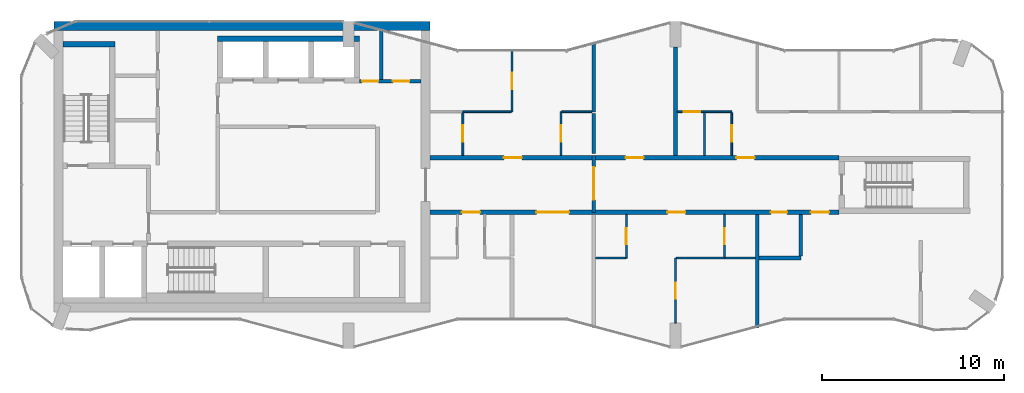
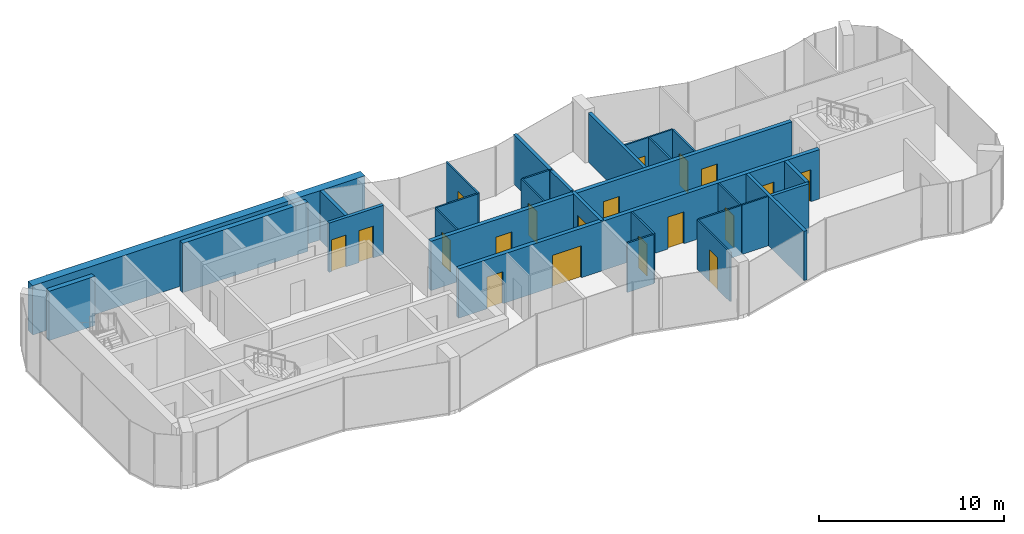
# One storey, part 8 of 10: 28 walls, 19 doors, 19 openings.
"""IFC4 building model written with IfcOpenShell, lengths in metres."""

from ifc_helpers import new_model, si_unit, direction, frame, frame_2d, origin, place, context, subcontext, project, spatial, rectangle, extrude, material, layer, layer_set, type_object, element, fill, save


model = new_model("IFC4")

# Units and contexts
model_context = context("Model", 3, precision=1e-05, world=origin(), true_north=direction((0.0, 1.0)))
body_context = subcontext(model_context, "Body", "Model", "MODEL_VIEW")
ifc_project = project(units=[si_unit("LENGTHUNIT", "METRE"), si_unit("AREAUNIT", "SQUARE_METRE"), si_unit("VOLUMEUNIT", "CUBIC_METRE"), si_unit("PLANEANGLEUNIT", "RADIAN"), si_unit("MASSUNIT", "GRAM", prefix="KILO")], contexts=[model_context])

# Site, building, storey
site_placement = place(None, origin())
site = spatial("IfcSite", under=ifc_project, at=site_placement, CompositionType="ELEMENT")
building_placement = place(site_placement, origin())
building = spatial("IfcBuilding", under=site, at=building_placement, Name="Plateau Cross Towers", CompositionType="ELEMENT")
storey_placement = place(building_placement, frame((0.0, 0.0, 245.89990234375)))
storey = spatial("IfcBuildingStorey", under=building, at=storey_placement, Name="L64", CompositionType="ELEMENT", Elevation=245.89990234375)

# Wall, openings, doors
ifc_material_1 = material(Name="Concrete block, plastered both sides", Category="concrete")
ifc_layer_1 = layer(ifc_material_1, 0.199951171875)
ifc_layer_set_1 = layer_set([ifc_layer_1], Name="Concrete block, plastered both sides")
wall_type_1 = type_object("IfcWallType", Name="Core partition 200", PredefinedType="PARTITIONING", material=ifc_layer_set_1)
wall_1_placement = place(storey_placement, frame((18.60009765625, 14.699951171875, 0.0), z_axis=(0.0, 0.0, 1.0), x_axis=(1.0, 0.0, 0.0)))
wall_1 = element("IfcWall", 1, at=wall_1_placement, inside=storey, type_object=wall_type_1, Name="Core partition", PredefinedType="PARTITIONING", context=body_context, shape_type="SweptSolid", body=[
    extrude(rectangle(XDim=3.39990234375, YDim=0.199951171875, at=frame_2d((1.699951171875, 0.0))), origin(), (0.0, 0.0, 1.0), 3.25),
])
opening_1_placement = place(wall_1_placement, frame((0.14990234375, 0.0, 0.0)))
opening_1 = element("IfcOpeningElement", 2, at=opening_1_placement, cuts=wall_1, Name="Opening RD2", PredefinedType="OPENING", context=body_context, shape_type="SweptSolid", body=[
    extrude(rectangle(XDim=0.89990234375, YDim=2.10009765625, at=frame_2d((0.449951171875, 1.050048828125))), frame((0.0, 0.10986328125, 0.0), z_axis=(0.0, -1.0, 0.0), x_axis=(1.0, 0.0, 0.0)), (0.0, 0.0, 1.0), 0.219970703125),
])
opening_2_placement = place(wall_1_placement, frame((1.85009765625, 0.0, 0.0)))
opening_2 = element("IfcOpeningElement", 3, at=opening_2_placement, cuts=wall_1, Name="Opening RD2", PredefinedType="OPENING", context=body_context, shape_type="SweptSolid", body=[
    extrude(rectangle(XDim=0.89990234375, YDim=2.10009765625, at=frame_2d((0.449951171875, 1.050048828125))), frame((0.0, 0.10986328125, 0.0), z_axis=(0.0, -1.0, 0.0), x_axis=(1.0, 0.0, 0.0)), (0.0, 0.0, 1.0), 0.219970703125),
])
ifc_material_2 = material(Name="Steel, fire-resisting leaf", Category="steel")
door_type_1 = type_object("IfcDoorType", Name="Core riser door 900", OperationType="NOTDEFINED", PredefinedType="DOOR", material=ifc_material_2)
door_1_placement = place(opening_1_placement, origin())
door_1 = element("IfcDoor", 4, at=door_1_placement, inside=storey, type_object=door_type_1, Name="Core riser door RD2", OperationType="SINGLE_SWING_LEFT", OverallHeight=2.10009765625, OverallWidth=0.89990234375, PredefinedType="DOOR", context=body_context, shape_type="SweptSolid", body=[
    extrude(rectangle(XDim=0.89990234375, YDim=2.10009765625, at=frame_2d((0.449951171875, 1.050048828125))), frame((0.0, 0.02490234375, 0.0), z_axis=(0.0, -1.0, 0.0), x_axis=(1.0, 0.0, 0.0)), (0.0, 0.0, 1.0), 0.050048828125),
])
fill(opening_1, door_1)
door_2_placement = place(opening_2_placement, origin())
door_2 = element("IfcDoor", 5, at=door_2_placement, inside=storey, type_object=door_type_1, Name="Core riser door RD2", OperationType="SINGLE_SWING_LEFT", OverallHeight=2.10009765625, OverallWidth=0.89990234375, PredefinedType="DOOR", context=body_context, shape_type="SweptSolid", body=[
    extrude(rectangle(XDim=0.89990234375, YDim=2.10009765625, at=frame_2d((0.449951171875, 1.050048828125))), frame((0.0, 0.02490234375, 0.0), z_axis=(0.0, -1.0, 0.0), x_axis=(1.0, 0.0, 0.0)), (0.0, 0.0, 1.0), 0.050048828125),
])
fill(opening_2, door_2)

# Walls
wall_2_placement = place(storey_placement, frame((19.800048828125, 14.800048828125, 0.0), z_axis=(0.0, 0.0, 1.0), x_axis=(0.0, 1.0, 0.0)))
element("IfcWall", 6, at=wall_2_placement, inside=storey, type_object=wall_type_1, Name="Core partition", PredefinedType="PARTITIONING", context=body_context, shape_type="SweptSolid", body=[
    extrude(rectangle(XDim=2.699951171875, YDim=0.199951171875, at=frame_2d((1.35009765625, 0.0))), origin(), (0.0, 0.0, 1.0), 3.25),
])
ifc_material_3 = material(Name="Concrete C60/75", Category="concrete")
ifc_layer_2 = layer(ifc_material_3, 0.300048828125)
ifc_layer_set_2 = layer_set([ifc_layer_2], Name="Concrete C60/75")
wall_type_2 = type_object("IfcWallType", Name="Core shaft wall 300", PredefinedType="SHEAR", material=ifc_layer_set_2)
wall_3_placement = place(storey_placement, frame((2.300048828125, 16.75, 0.0), z_axis=(0.0, 0.0, 1.0), x_axis=(1.0, 0.0, 0.0)))
element("IfcWall", 7, at=wall_3_placement, inside=storey, type_object=wall_type_2, Name="A-st1-N@L64", PredefinedType="SHEAR", context=body_context, shape_type="SweptSolid", body=[
    extrude(rectangle(XDim=2.849853515625, YDim=0.300048828125, at=frame_2d((1.4248046875, 0.0))), origin(), (0.0, 0.0, 1.0), 3.25),
])
wall_4_placement = place(storey_placement, frame((10.800048828125, 17.050048828125, 0.0), z_axis=(0.0, 0.0, 1.0), x_axis=(1.0, 0.0, 0.0)))
element("IfcWall", 8, at=wall_4_placement, inside=storey, type_object=wall_type_2, Name="A-nb-back@L64", PredefinedType="SHEAR", context=body_context, shape_type="SweptSolid", body=[
    extrude(rectangle(XDim=7.800048828125, YDim=0.300048828125, at=frame_2d((3.89990234375, 0.0))), origin(), (0.0, 0.0, 1.0), 3.25),
])
ifc_layer_3 = layer(ifc_material_3, 0.5)
ifc_layer_set_3 = layer_set([ifc_layer_3], Name="Concrete C60/75")
wall_type_3 = type_object("IfcWallType", Name="Core shell wall 500", PredefinedType="SHEAR", material=ifc_layer_set_3)
wall_5_placement = place(storey_placement, frame((1.800048828125, 17.75, 0.0), z_axis=(0.0, 0.0, 1.0), x_axis=(1.0, 0.0, 0.0)))
element("IfcWall", 9, at=wall_5_placement, inside=storey, type_object=wall_type_3, Name="A-core-N@L64", PredefinedType="SHEAR", context=body_context, shape_type="SweptSolid", body=[
    extrude(rectangle(XDim=20.699951171875, YDim=0.5, at=frame_2d((10.35009765625, 0.0))), origin(), (0.0, 0.0, 1.0), 3.25),
])

# Wall, openings, doors
ifc_layer_4 = layer(ifc_material_3, 0.25)
ifc_layer_set_4 = layer_set([ifc_layer_4], Name="Concrete C60/75")
wall_type_4 = type_object("IfcWallType", Name="Corridor wall 250", PredefinedType="SHEAR", material=ifc_layer_set_4)
wall_6_placement = place(storey_placement, frame((22.5, 7.5, 0.0), z_axis=(0.0, 0.0, 1.0), x_axis=(1.0, 0.0, 0.0)))
wall_6 = element("IfcWall", 10, at=wall_6_placement, inside=storey, type_object=wall_type_4, Name="A-cw-S1@L64", PredefinedType="SHEAR", context=body_context, shape_type="SweptSolid", body=[
    extrude(rectangle(XDim=22.5, YDim=0.25, at=frame_2d((11.25, 0.0))), origin(), (0.0, 0.0, 1.0), 3.25),
])
opening_3_placement = place(wall_6_placement, frame((1.75, 0.0, 0.0)))
opening_3 = element("IfcOpeningElement", 11, at=opening_3_placement, cuts=wall_6, Name="Opening 64-01", PredefinedType="OPENING", context=body_context, shape_type="SweptSolid", body=[
    extrude(rectangle(XDim=1.0, YDim=2.10009765625, at=frame_2d((0.5, 1.050048828125))), frame((0.0, 0.135009765625, 0.0), z_axis=(0.0, -1.0, 0.0), x_axis=(1.0, 0.0, 0.0)), (0.0, 0.0, 1.0), 0.27001953125),
])
opening_4_placement = place(wall_6_placement, frame((5.85009765625, 0.0, 0.0)))
opening_4 = element("IfcOpeningElement", 12, at=opening_4_placement, cuts=wall_6, Name="Opening 64-02", PredefinedType="OPENING", context=body_context, shape_type="SweptSolid", body=[
    extrude(rectangle(XDim=1.800048828125, YDim=2.10009765625, at=frame_2d((0.89990234375, 1.050048828125))), frame((0.0, 0.135009765625, 0.0), z_axis=(0.0, -1.0, 0.0), x_axis=(1.0, 0.0, 0.0)), (0.0, 0.0, 1.0), 0.27001953125),
])
opening_5_placement = place(wall_6_placement, frame((13.050048828125, 0.0, 0.0)))
opening_5 = element("IfcOpeningElement", 13, at=opening_5_placement, cuts=wall_6, Name="Opening 64-03", PredefinedType="OPENING", context=body_context, shape_type="SweptSolid", body=[
    extrude(rectangle(XDim=1.0, YDim=2.10009765625, at=frame_2d((0.5, 1.050048828125))), frame((0.0, 0.135009765625, 0.0), z_axis=(0.0, -1.0, 0.0), x_axis=(1.0, 0.0, 0.0)), (0.0, 0.0, 1.0), 0.27001953125),
])
opening_6_placement = place(wall_6_placement, frame((18.75, 0.0, 0.0)))
opening_6 = element("IfcOpeningElement", 14, at=opening_6_placement, cuts=wall_6, Name="Opening 64-04", PredefinedType="OPENING", context=body_context, shape_type="SweptSolid", body=[
    extrude(rectangle(XDim=0.89990234375, YDim=2.10009765625, at=frame_2d((0.449951171875, 1.050048828125))), frame((0.0, 0.135009765625, 0.0), z_axis=(0.0, -1.0, 0.0), x_axis=(1.0, 0.0, 0.0)), (0.0, 0.0, 1.0), 0.27001953125),
])
opening_7_placement = place(wall_6_placement, frame((20.949951171875, 0.0, 0.0)))
opening_7 = element("IfcOpeningElement", 15, at=opening_7_placement, cuts=wall_6, Name="Opening 64-05", PredefinedType="OPENING", context=body_context, shape_type="SweptSolid", body=[
    extrude(rectangle(XDim=1.0, YDim=2.10009765625, at=frame_2d((0.5, 1.050048828125))), frame((0.0, 0.135009765625, 0.0), z_axis=(0.0, -1.0, 0.0), x_axis=(1.0, 0.0, 0.0)), (0.0, 0.0, 1.0), 0.27001953125),
])
ifc_material_4 = material(Name="Timber, fire-resisting leaf", Category="wood")
door_type_2 = type_object("IfcDoorType", Name="Flat entrance door 1000", OperationType="NOTDEFINED", PredefinedType="DOOR", material=ifc_material_4)
door_3_placement = place(opening_3_placement, origin())
door_3 = element("IfcDoor", 16, at=door_3_placement, inside=storey, type_object=door_type_2, Name="Door 64-01", OperationType="SINGLE_SWING_LEFT", OverallHeight=2.10009765625, OverallWidth=1.0, PredefinedType="DOOR", context=body_context, shape_type="SweptSolid", body=[
    extrude(rectangle(XDim=1.0, YDim=2.10009765625, at=frame_2d((0.5, 1.050048828125))), frame((0.0, 0.02490234375, 0.0), z_axis=(0.0, -1.0, 0.0), x_axis=(1.0, 0.0, 0.0)), (0.0, 0.0, 1.0), 0.050048828125),
])
fill(opening_3, door_3)
door_4_placement = place(opening_5_placement, origin())
door_4 = element("IfcDoor", 17, at=door_4_placement, inside=storey, type_object=door_type_2, Name="Door 64-03", OperationType="SINGLE_SWING_RIGHT", OverallHeight=2.10009765625, OverallWidth=1.0, PredefinedType="DOOR", context=body_context, shape_type="SweptSolid", body=[
    extrude(rectangle(XDim=1.0, YDim=2.10009765625, at=frame_2d((0.5, 1.050048828125))), frame((0.0, 0.02490234375, 0.0), z_axis=(0.0, -1.0, 0.0), x_axis=(1.0, 0.0, 0.0)), (0.0, 0.0, 1.0), 0.050048828125),
])
fill(opening_5, door_4)
door_5_placement = place(opening_7_placement, origin())
door_5 = element("IfcDoor", 18, at=door_5_placement, inside=storey, type_object=door_type_2, Name="Door 64-05", OperationType="SINGLE_SWING_RIGHT", OverallHeight=2.10009765625, OverallWidth=1.0, PredefinedType="DOOR", context=body_context, shape_type="SweptSolid", body=[
    extrude(rectangle(XDim=1.0, YDim=2.10009765625, at=frame_2d((0.5, 1.050048828125))), frame((0.0, 0.02490234375, 0.0), z_axis=(0.0, -1.0, 0.0), x_axis=(1.0, 0.0, 0.0)), (0.0, 0.0, 1.0), 0.050048828125),
])
fill(opening_7, door_5)
ifc_material_5 = material(Name="Timber, fire-resisting leaves", Category="wood")
door_type_3 = type_object("IfcDoorType", Name="Flat floor fire door pair 1800", OperationType="NOTDEFINED", PredefinedType="DOOR", material=ifc_material_5)
door_6_placement = place(opening_4_placement, origin())
door_6 = element("IfcDoor", 19, at=door_6_placement, inside=storey, type_object=door_type_3, Name="Door 64-02", OperationType="SINGLE_SWING_LEFT", OverallHeight=2.10009765625, OverallWidth=1.800048828125, PredefinedType="DOOR", context=body_context, shape_type="SweptSolid", body=[
    extrude(rectangle(XDim=1.800048828125, YDim=2.10009765625, at=frame_2d((0.89990234375, 1.050048828125))), frame((0.0, 0.02490234375, 0.0), z_axis=(0.0, -1.0, 0.0), x_axis=(1.0, 0.0, 0.0)), (0.0, 0.0, 1.0), 0.050048828125),
])
fill(opening_4, door_6)
door_type_4 = type_object("IfcDoorType", Name="Flat floor service door 900", OperationType="NOTDEFINED", PredefinedType="DOOR", material=ifc_material_4)
door_7_placement = place(opening_6_placement, origin())
door_7 = element("IfcDoor", 20, at=door_7_placement, inside=storey, type_object=door_type_4, Name="Door 64-04", OperationType="SINGLE_SWING_RIGHT", OverallHeight=2.10009765625, OverallWidth=0.89990234375, PredefinedType="DOOR", context=body_context, shape_type="SweptSolid", body=[
    extrude(rectangle(XDim=0.89990234375, YDim=2.10009765625, at=frame_2d((0.449951171875, 1.050048828125))), frame((0.0, 0.02490234375, 0.0), z_axis=(0.0, -1.0, 0.0), x_axis=(1.0, 0.0, 0.0)), (0.0, 0.0, 1.0), 0.050048828125),
])
fill(opening_6, door_7)

wall_7_placement = place(storey_placement, frame((22.5, 10.5, 0.0), z_axis=(0.0, 0.0, 1.0), x_axis=(1.0, 0.0, 0.0)))
wall_7 = element("IfcWall", 21, at=wall_7_placement, inside=storey, type_object=wall_type_4, Name="A-cw-S2@L64", PredefinedType="SHEAR", context=body_context, shape_type="SweptSolid", body=[
    extrude(rectangle(XDim=22.5, YDim=0.25, at=frame_2d((11.25, 0.0))), origin(), (0.0, 0.0, 1.0), 3.25),
])
opening_8_placement = place(wall_7_placement, frame((4.050048828125, 0.0, 0.0)))
opening_8 = element("IfcOpeningElement", 22, at=opening_8_placement, cuts=wall_7, Name="Opening 64-06", PredefinedType="OPENING", context=body_context, shape_type="SweptSolid", body=[
    extrude(rectangle(XDim=1.0, YDim=2.10009765625, at=frame_2d((0.5, 1.050048828125))), frame((0.0, 0.135009765625, 0.0), z_axis=(0.0, -1.0, 0.0), x_axis=(1.0, 0.0, 0.0)), (0.0, 0.0, 1.0), 0.27001953125),
])
opening_9_placement = place(wall_7_placement, frame((10.75, 0.0, 0.0)))
opening_9 = element("IfcOpeningElement", 23, at=opening_9_placement, cuts=wall_7, Name="Opening 64-07", PredefinedType="OPENING", context=body_context, shape_type="SweptSolid", body=[
    extrude(rectangle(XDim=1.0, YDim=2.10009765625, at=frame_2d((0.5, 1.050048828125))), frame((0.0, 0.135009765625, 0.0), z_axis=(0.0, -1.0, 0.0), x_axis=(1.0, 0.0, 0.0)), (0.0, 0.0, 1.0), 0.27001953125),
])
opening_10_placement = place(wall_7_placement, frame((16.85009765625, 0.0, 0.0)))
opening_10 = element("IfcOpeningElement", 24, at=opening_10_placement, cuts=wall_7, Name="Opening 64-08", PredefinedType="OPENING", context=body_context, shape_type="SweptSolid", body=[
    extrude(rectangle(XDim=1.0, YDim=2.10009765625, at=frame_2d((0.5, 1.050048828125))), frame((0.0, 0.135009765625, 0.0), z_axis=(0.0, -1.0, 0.0), x_axis=(1.0, 0.0, 0.0)), (0.0, 0.0, 1.0), 0.27001953125),
])
door_8_placement = place(opening_8_placement, origin())
door_8 = element("IfcDoor", 25, at=door_8_placement, inside=storey, type_object=door_type_2, Name="Door 64-06", OperationType="SINGLE_SWING_LEFT", OverallHeight=2.10009765625, OverallWidth=1.0, PredefinedType="DOOR", context=body_context, shape_type="SweptSolid", body=[
    extrude(rectangle(XDim=1.0, YDim=2.10009765625, at=frame_2d((0.5, 1.050048828125))), frame((0.0, 0.02490234375, 0.0), z_axis=(0.0, -1.0, 0.0), x_axis=(1.0, 0.0, 0.0)), (0.0, 0.0, 1.0), 0.050048828125),
])
fill(opening_8, door_8)
door_9_placement = place(opening_9_placement, origin())
door_9 = element("IfcDoor", 26, at=door_9_placement, inside=storey, type_object=door_type_2, Name="Door 64-07", OperationType="SINGLE_SWING_LEFT", OverallHeight=2.10009765625, OverallWidth=1.0, PredefinedType="DOOR", context=body_context, shape_type="SweptSolid", body=[
    extrude(rectangle(XDim=1.0, YDim=2.10009765625, at=frame_2d((0.5, 1.050048828125))), frame((0.0, 0.02490234375, 0.0), z_axis=(0.0, -1.0, 0.0), x_axis=(1.0, 0.0, 0.0)), (0.0, 0.0, 1.0), 0.050048828125),
])
fill(opening_9, door_9)
door_10_placement = place(opening_10_placement, origin())
door_10 = element("IfcDoor", 27, at=door_10_placement, inside=storey, type_object=door_type_2, Name="Door 64-08", OperationType="SINGLE_SWING_RIGHT", OverallHeight=2.10009765625, OverallWidth=1.0, PredefinedType="DOOR", context=body_context, shape_type="SweptSolid", body=[
    extrude(rectangle(XDim=1.0, YDim=2.10009765625, at=frame_2d((0.5, 1.050048828125))), frame((0.0, 0.02490234375, 0.0), z_axis=(0.0, -1.0, 0.0), x_axis=(1.0, 0.0, 0.0)), (0.0, 0.0, 1.0), 0.050048828125),
])
fill(opening_10, door_10)

# Walls
ifc_material_6 = material(Name="Gypsum board on steel studs", Category="steel")
ifc_layer_5 = layer(ifc_material_6, 0.10009765625)
ifc_layer_set_5 = layer_set([ifc_layer_5], Name="Gypsum board on steel studs")
wall_type_5 = type_object("IfcWallType", Name="Flat partition 100", PredefinedType="PARTITIONING", material=ifc_layer_set_5)
wall_8_placement = place(storey_placement, frame((38.699951171875, 4.97509765625, 0.0), z_axis=(0.0, 0.0, 1.0), x_axis=(-1.0, 0.0, 0.0)))
element("IfcWall", 28, at=wall_8_placement, inside=storey, type_object=wall_type_5, Name="Partition wall", PredefinedType="PARTITIONING", context=body_context, shape_type="SweptSolid", body=[
    extrude(rectangle(XDim=2.64990234375, YDim=0.10009765625, at=frame_2d((1.324951171875, 0.0))), origin(), (0.0, 0.0, 1.0), 3.25),
])
for number, where, z_axis, x_axis, name in (
    (29, (31.60009765625, 4.97509765625, 0.0), (0.0, 0.0, 1.0), (1.0, 0.0, 0.0), "Partition wall"),
    (30, (38.75, 4.97509765625, 0.0), (0.0, 0.0, 1.0), (1.0, 0.0, 0.0), "Partition wall"),
    (31, (31.39990234375, 13.02490234375, 0.0), (0.0, 0.0, 1.0), (-1.0, 0.0, 0.0), "Partition wall"),
):
    element("IfcWall", number, at=place(storey_placement, frame(where, z_axis=z_axis, x_axis=x_axis)), inside=storey, type_object=wall_type_5, Name=name, PredefinedType="PARTITIONING", context=body_context, shape_type="SweptSolid", body=[
        extrude(rectangle(XDim=1.64990234375, YDim=0.10009765625, at=frame_2d((0.824951171875, 0.0))), origin(), (0.0, 0.0, 1.0), 3.25),
    ])

# Wall, opening, door
wall_9_placement = place(storey_placement, frame((39.10009765625, 13.02490234375, 0.0), z_axis=(0.0, 0.0, 1.0), x_axis=(-1.0, 0.0, 0.0)))
wall_9 = element("IfcWall", 32, at=wall_9_placement, inside=storey, type_object=wall_type_5, Name="Partition wall", PredefinedType="PARTITIONING", context=body_context, shape_type="SweptSolid", body=[
    extrude(rectangle(XDim=3.0, YDim=0.10009765625, at=frame_2d((1.5, 0.0))), origin(), (0.0, 0.0, 1.0), 3.25),
])
opening_11_placement = place(wall_9_placement, frame((1.75, 0.0, 0.0)))
opening_11 = element("IfcOpeningElement", 33, at=opening_11_placement, cuts=wall_9, Name="Opening 64-19", PredefinedType="OPENING", context=body_context, shape_type="SweptSolid", body=[
    extrude(rectangle(XDim=0.89990234375, YDim=2.10009765625, at=frame_2d((0.449951171875, 1.050048828125))), frame((0.0, 0.06005859375, 0.0), z_axis=(0.0, -1.0, 0.0), x_axis=(1.0, 0.0, 0.0)), (0.0, 0.0, 1.0), 0.1201171875),
])
ifc_material_7 = material(Name="Timber leaf", Category="wood")
door_type_5 = type_object("IfcDoorType", Name="Flat room door 900", OperationType="NOTDEFINED", PredefinedType="DOOR", material=ifc_material_7)
door_11_placement = place(opening_11_placement, origin())
door_11 = element("IfcDoor", 34, at=door_11_placement, inside=storey, type_object=door_type_5, Name="Door 64-19", OperationType="SINGLE_SWING_RIGHT", OverallHeight=2.10009765625, OverallWidth=0.89990234375, PredefinedType="DOOR", context=body_context, shape_type="SweptSolid", body=[
    extrude(rectangle(XDim=0.89990234375, YDim=2.10009765625, at=frame_2d((0.449951171875, 1.050048828125))), frame((0.0, 0.02490234375, 0.0), z_axis=(0.0, -1.0, 0.0), x_axis=(1.0, 0.0, 0.0)), (0.0, 0.0, 1.0), 0.050048828125),
])
fill(opening_11, door_11)

# Wall
wall_10_placement = place(storey_placement, frame((24.300048828125, 13.02490234375, 0.0), z_axis=(0.0, 0.0, 1.0), x_axis=(1.0, 0.0, 0.0)))
element("IfcWall", 35, at=wall_10_placement, inside=storey, type_object=wall_type_5, Name="Partition wall", PredefinedType="PARTITIONING", context=body_context, shape_type="SweptSolid", body=[
    extrude(rectangle(XDim=2.64990234375, YDim=0.10009765625, at=frame_2d((1.324951171875, 0.0))), origin(), (0.0, 0.0, 1.0), 3.25),
])

# Wall, opening, door
wall_11_placement = place(storey_placement, frame((24.300048828125, 10.625, 0.0), z_axis=(0.0, 0.0, 1.0), x_axis=(0.0, 1.0, 0.0)))
wall_11 = element("IfcWall", 36, at=wall_11_placement, inside=storey, type_object=wall_type_5, Name="Partition wall", PredefinedType="PARTITIONING", context=body_context, shape_type="SweptSolid", body=[
    extrude(rectangle(XDim=2.35009765625, YDim=0.10009765625, at=frame_2d((1.175048828125, 0.0))), origin(), (0.0, 0.0, 1.0), 3.25),
])
opening_12_placement = place(wall_11_placement, frame((0.75, 0.0, 0.0)))
opening_12 = element("IfcOpeningElement", 37, at=opening_12_placement, cuts=wall_11, Name="Opening 64-16", PredefinedType="OPENING", context=body_context, shape_type="SweptSolid", body=[
    extrude(rectangle(XDim=0.89990234375, YDim=2.10009765625, at=frame_2d((0.449951171875, 1.050048828125))), frame((0.0, 0.06005859375, 0.0), z_axis=(0.0, -1.0, 0.0), x_axis=(1.0, 0.0, 0.0)), (0.0, 0.0, 1.0), 0.1201171875),
])
door_12_placement = place(opening_12_placement, origin())
door_12 = element("IfcDoor", 38, at=door_12_placement, inside=storey, type_object=door_type_5, Name="Door 64-16", OperationType="SINGLE_SWING_RIGHT", OverallHeight=2.10009765625, OverallWidth=0.89990234375, PredefinedType="DOOR", context=body_context, shape_type="SweptSolid", body=[
    extrude(rectangle(XDim=0.89990234375, YDim=2.10009765625, at=frame_2d((0.449951171875, 1.050048828125))), frame((0.0, 0.02490234375, 0.0), z_axis=(0.0, -1.0, 0.0), x_axis=(1.0, 0.0, 0.0)), (0.0, 0.0, 1.0), 0.050048828125),
])
fill(opening_12, door_12)

wall_12_placement = place(storey_placement, frame((27.0, 13.02490234375, 0.0), z_axis=(0.0, 0.0, 1.0), x_axis=(0.0, 1.0, 0.0)))
wall_12 = element("IfcWall", 39, at=wall_12_placement, inside=storey, type_object=wall_type_5, Name="Partition wall", PredefinedType="PARTITIONING", context=body_context, shape_type="SweptSolid", body=[
    extrude(rectangle(XDim=3.4482421875, YDim=0.10009765625, at=frame_2d((1.72412109375, 0.0))), origin(), (0.0, 0.0, 1.0), 3.25),
])
opening_13_placement = place(wall_12_placement, frame((1.25, 0.0, 0.0)))
opening_13 = element("IfcOpeningElement", 40, at=opening_13_placement, cuts=wall_12, Name="Opening 64-18", PredefinedType="OPENING", context=body_context, shape_type="SweptSolid", body=[
    extrude(rectangle(XDim=0.89990234375, YDim=2.10009765625, at=frame_2d((0.449951171875, 1.050048828125))), frame((0.0, 0.06005859375, 0.0), z_axis=(0.0, -1.0, 0.0), x_axis=(1.0, 0.0, 0.0)), (0.0, 0.0, 1.0), 0.1201171875),
])
door_13_placement = place(opening_13_placement, origin())
door_13 = element("IfcDoor", 41, at=door_13_placement, inside=storey, type_object=door_type_5, Name="Door 64-18", OperationType="SINGLE_SWING_LEFT", OverallHeight=2.10009765625, OverallWidth=0.89990234375, PredefinedType="DOOR", context=body_context, shape_type="SweptSolid", body=[
    extrude(rectangle(XDim=0.89990234375, YDim=2.10009765625, at=frame_2d((0.449951171875, 1.050048828125))), frame((0.0, 0.02490234375, 0.0), z_axis=(0.0, -1.0, 0.0), x_axis=(1.0, 0.0, 0.0)), (0.0, 0.0, 1.0), 0.050048828125),
])
fill(opening_13, door_13)

wall_13_placement = place(storey_placement, frame((29.699951171875, 13.02490234375, 0.0), z_axis=(0.0, 0.0, 1.0), x_axis=(0.0, -1.0, 0.0)))
wall_13 = element("IfcWall", 42, at=wall_13_placement, inside=storey, type_object=wall_type_5, Name="Partition wall", PredefinedType="PARTITIONING", context=body_context, shape_type="SweptSolid", body=[
    extrude(rectangle(XDim=2.39990234375, YDim=0.10009765625, at=frame_2d((1.199951171875, 0.0))), origin(), (0.0, 0.0, 1.0), 3.25),
])
opening_14_placement = place(wall_13_placement, frame((0.75, 0.0, 0.0)))
opening_14 = element("IfcOpeningElement", 43, at=opening_14_placement, cuts=wall_13, Name="Opening 64-17", PredefinedType="OPENING", context=body_context, shape_type="SweptSolid", body=[
    extrude(rectangle(XDim=0.89990234375, YDim=2.10009765625, at=frame_2d((0.449951171875, 1.050048828125))), frame((0.0, 0.06005859375, 0.0), z_axis=(0.0, -1.0, 0.0), x_axis=(1.0, 0.0, 0.0)), (0.0, 0.0, 1.0), 0.1201171875),
])
door_14_placement = place(opening_14_placement, origin())
door_14 = element("IfcDoor", 44, at=door_14_placement, inside=storey, type_object=door_type_5, Name="Door 64-17", OperationType="SINGLE_SWING_LEFT", OverallHeight=2.10009765625, OverallWidth=0.89990234375, PredefinedType="DOOR", context=body_context, shape_type="SweptSolid", body=[
    extrude(rectangle(XDim=0.89990234375, YDim=2.10009765625, at=frame_2d((0.449951171875, 1.050048828125))), frame((0.0, 0.02490234375, 0.0), z_axis=(0.0, -1.0, 0.0), x_axis=(1.0, 0.0, 0.0)), (0.0, 0.0, 1.0), 0.050048828125),
])
fill(opening_14, door_14)

wall_14_placement = place(storey_placement, frame((33.300048828125, 4.97509765625, 0.0), z_axis=(0.0, 0.0, 1.0), x_axis=(0.0, 1.0, 0.0)))
wall_14 = element("IfcWall", 45, at=wall_14_placement, inside=storey, type_object=wall_type_5, Name="Partition wall", PredefinedType="PARTITIONING", context=body_context, shape_type="SweptSolid", body=[
    extrude(rectangle(XDim=2.39990234375, YDim=0.10009765625, at=frame_2d((1.199951171875, 0.0))), origin(), (0.0, 0.0, 1.0), 3.25),
])
opening_15_placement = place(wall_14_placement, frame((0.75, 0.0, 0.0)))
opening_15 = element("IfcOpeningElement", 46, at=opening_15_placement, cuts=wall_14, Name="Opening 64-13", PredefinedType="OPENING", context=body_context, shape_type="SweptSolid", body=[
    extrude(rectangle(XDim=0.89990234375, YDim=2.10009765625, at=frame_2d((0.449951171875, 1.050048828125))), frame((0.0, 0.06005859375, 0.0), z_axis=(0.0, -1.0, 0.0), x_axis=(1.0, 0.0, 0.0)), (0.0, 0.0, 1.0), 0.1201171875),
])
door_15_placement = place(opening_15_placement, origin())
door_15 = element("IfcDoor", 47, at=door_15_placement, inside=storey, type_object=door_type_5, Name="Door 64-13", OperationType="SINGLE_SWING_LEFT", OverallHeight=2.10009765625, OverallWidth=0.89990234375, PredefinedType="DOOR", context=body_context, shape_type="SweptSolid", body=[
    extrude(rectangle(XDim=0.89990234375, YDim=2.10009765625, at=frame_2d((0.449951171875, 1.050048828125))), frame((0.0, 0.02490234375, 0.0), z_axis=(0.0, -1.0, 0.0), x_axis=(1.0, 0.0, 0.0)), (0.0, 0.0, 1.0), 0.050048828125),
])
fill(opening_15, door_15)

wall_15_placement = place(storey_placement, frame((36.0, 4.97509765625, 0.0), z_axis=(0.0, 0.0, 1.0), x_axis=(0.0, -1.0, 0.0)))
wall_15 = element("IfcWall", 48, at=wall_15_placement, inside=storey, type_object=wall_type_5, Name="Partition wall", PredefinedType="PARTITIONING", context=body_context, shape_type="SweptSolid", body=[
    extrude(rectangle(XDim=3.5751953125, YDim=0.10009765625, at=frame_2d((1.78759765625, 0.0))), origin(), (0.0, 0.0, 1.0), 3.25),
])
opening_16_placement = place(wall_15_placement, frame((1.35009765625, 0.0, 0.0)))
opening_16 = element("IfcOpeningElement", 49, at=opening_16_placement, cuts=wall_15, Name="Opening 64-15", PredefinedType="OPENING", context=body_context, shape_type="SweptSolid", body=[
    extrude(rectangle(XDim=0.89990234375, YDim=2.10009765625, at=frame_2d((0.449951171875, 1.050048828125))), frame((0.0, 0.06005859375, 0.0), z_axis=(0.0, -1.0, 0.0), x_axis=(1.0, 0.0, 0.0)), (0.0, 0.0, 1.0), 0.1201171875),
])
door_16_placement = place(opening_16_placement, origin())
door_16 = element("IfcDoor", 50, at=door_16_placement, inside=storey, type_object=door_type_5, Name="Door 64-15", OperationType="SINGLE_SWING_RIGHT", OverallHeight=2.10009765625, OverallWidth=0.89990234375, PredefinedType="DOOR", context=body_context, shape_type="SweptSolid", body=[
    extrude(rectangle(XDim=0.89990234375, YDim=2.10009765625, at=frame_2d((0.449951171875, 1.050048828125))), frame((0.0, 0.02490234375, 0.0), z_axis=(0.0, -1.0, 0.0), x_axis=(1.0, 0.0, 0.0)), (0.0, 0.0, 1.0), 0.050048828125),
])
fill(opening_16, door_16)

# Wall
wall_16_placement = place(storey_placement, frame((37.60009765625, 10.625, 0.0), z_axis=(0.0, 0.0, 1.0), x_axis=(0.0, 1.0, 0.0)))
element("IfcWall", 51, at=wall_16_placement, inside=storey, type_object=wall_type_5, Name="Partition wall", PredefinedType="PARTITIONING", context=body_context, shape_type="SweptSolid", body=[
    extrude(rectangle(XDim=2.35009765625, YDim=0.10009765625, at=frame_2d((1.175048828125, 0.0))), origin(), (0.0, 0.0, 1.0), 3.25),
])

# Wall, opening, door
wall_17_placement = place(storey_placement, frame((38.699951171875, 7.375, 0.0), z_axis=(0.0, 0.0, 1.0), x_axis=(0.0, -1.0, 0.0)))
wall_17 = element("IfcWall", 52, at=wall_17_placement, inside=storey, type_object=wall_type_5, Name="Partition wall", PredefinedType="PARTITIONING", context=body_context, shape_type="SweptSolid", body=[
    extrude(rectangle(XDim=2.35009765625, YDim=0.10009765625, at=frame_2d((1.175048828125, 0.0))), origin(), (0.0, 0.0, 1.0), 3.25),
])
opening_17_placement = place(wall_17_placement, frame((0.75, 0.0, 0.0)))
opening_17 = element("IfcOpeningElement", 53, at=opening_17_placement, cuts=wall_17, Name="Opening 64-14", PredefinedType="OPENING", context=body_context, shape_type="SweptSolid", body=[
    extrude(rectangle(XDim=0.89990234375, YDim=2.10009765625, at=frame_2d((0.449951171875, 1.050048828125))), frame((0.0, 0.06005859375, 0.0), z_axis=(0.0, -1.0, 0.0), x_axis=(1.0, 0.0, 0.0)), (0.0, 0.0, 1.0), 0.1201171875),
])
door_17_placement = place(opening_17_placement, origin())
door_17 = element("IfcDoor", 54, at=door_17_placement, inside=storey, type_object=door_type_5, Name="Door 64-14", OperationType="SINGLE_SWING_RIGHT", OverallHeight=2.10009765625, OverallWidth=0.89990234375, PredefinedType="DOOR", context=body_context, shape_type="SweptSolid", body=[
    extrude(rectangle(XDim=0.89990234375, YDim=2.10009765625, at=frame_2d((0.449951171875, 1.050048828125))), frame((0.0, 0.02490234375, 0.0), z_axis=(0.0, -1.0, 0.0), x_axis=(1.0, 0.0, 0.0)), (0.0, 0.0, 1.0), 0.050048828125),
])
fill(opening_17, door_17)

wall_18_placement = place(storey_placement, frame((39.10009765625, 10.625, 0.0), z_axis=(0.0, 0.0, 1.0), x_axis=(0.0, 1.0, 0.0)))
wall_18 = element("IfcWall", 55, at=wall_18_placement, inside=storey, type_object=wall_type_5, Name="Partition wall", PredefinedType="PARTITIONING", context=body_context, shape_type="SweptSolid", body=[
    extrude(rectangle(XDim=2.35009765625, YDim=0.10009765625, at=frame_2d((1.175048828125, 0.0))), origin(), (0.0, 0.0, 1.0), 3.25),
])
opening_18_placement = place(wall_18_placement, frame((0.75, 0.0, 0.0)))
opening_18 = element("IfcOpeningElement", 56, at=opening_18_placement, cuts=wall_18, Name="Opening 64-20", PredefinedType="OPENING", context=body_context, shape_type="SweptSolid", body=[
    extrude(rectangle(XDim=0.89990234375, YDim=2.10009765625, at=frame_2d((0.449951171875, 1.050048828125))), frame((0.0, 0.06005859375, 0.0), z_axis=(0.0, -1.0, 0.0), x_axis=(1.0, 0.0, 0.0)), (0.0, 0.0, 1.0), 0.1201171875),
])
door_18_placement = place(opening_18_placement, origin())
door_18 = element("IfcDoor", 57, at=door_18_placement, inside=storey, type_object=door_type_5, Name="Door 64-20", OperationType="SINGLE_SWING_RIGHT", OverallHeight=2.10009765625, OverallWidth=0.89990234375, PredefinedType="DOOR", context=body_context, shape_type="SweptSolid", body=[
    extrude(rectangle(XDim=0.89990234375, YDim=2.10009765625, at=frame_2d((0.449951171875, 1.050048828125))), frame((0.0, 0.02490234375, 0.0), z_axis=(0.0, -1.0, 0.0), x_axis=(1.0, 0.0, 0.0)), (0.0, 0.0, 1.0), 0.050048828125),
])
fill(opening_18, door_18)

# Walls
ifc_material_8 = material(Name="Gypsum board on steel studs, two layers each side", Category="steel")
ifc_layer_6 = layer(ifc_material_8, 0.199951171875)
ifc_layer_set_6 = layer_set([ifc_layer_6], Name="Gypsum board on steel studs, two layers each side")
wall_type_6 = type_object("IfcWallType", Name="Flat party wall 200", PredefinedType="PARTITIONING", material=ifc_layer_set_6)
wall_19_placement = place(storey_placement, frame((40.60009765625, 4.97509765625, 0.0), z_axis=(0.0, 0.0, 1.0), x_axis=(1.0, 0.0, 0.0)))
element("IfcWall", 58, at=wall_19_placement, inside=storey, type_object=wall_type_6, Name="Party wall", PredefinedType="PARTITIONING", context=body_context, shape_type="SweptSolid", body=[
    extrude(rectangle(XDim=2.2998046875, YDim=0.199951171875, at=frame_2d((1.14990234375, 0.0))), origin(), (0.0, 0.0, 1.0), 3.25),
])
wall_20_placement = place(storey_placement, frame((31.5, 16.877685546875, 0.0), z_axis=(0.0, 0.0, 1.0), x_axis=(0.0, -1.0, 0.0)))
element("IfcWall", 59, at=wall_20_placement, inside=storey, type_object=wall_type_6, Name="Party wall", PredefinedType="PARTITIONING", context=body_context, shape_type="SweptSolid", body=[
    extrude(rectangle(XDim=3.852783203125, YDim=0.199951171875, at=frame_2d((1.92626953125, 0.0))), origin(), (0.0, 0.0, 1.0), 3.25),
])
wall_21_placement = place(storey_placement, frame((31.5, 10.72509765625, 0.0), z_axis=(0.0, 0.0, 1.0), x_axis=(0.0, 1.0, 0.0)))
element("IfcWall", 60, at=wall_21_placement, inside=storey, type_object=wall_type_6, Name="Party wall", PredefinedType="PARTITIONING", context=body_context, shape_type="SweptSolid", body=[
    extrude(rectangle(XDim=2.199951171875, YDim=0.199951171875, at=frame_2d((1.10009765625, 0.0))), origin(), (0.0, 0.0, 1.0), 3.25),
])
wall_22_placement = place(storey_placement, frame((36.0, 10.625, 0.0), z_axis=(0.0, 0.0, 1.0), x_axis=(0.0, 1.0, 0.0)))
element("IfcWall", 61, at=wall_22_placement, inside=storey, type_object=wall_type_6, Name="Party wall", PredefinedType="PARTITIONING", context=body_context, shape_type="SweptSolid", body=[
    extrude(rectangle(XDim=5.97509765625, YDim=0.199951171875, at=frame_2d((2.987548828125, 0.0))), origin(), (0.0, 0.0, 1.0), 3.25),
])
wall_23_placement = place(storey_placement, frame((40.5, 1.122314453125, 0.0), z_axis=(0.0, 0.0, 1.0), x_axis=(0.0, 1.0, 0.0)))
element("IfcWall", 62, at=wall_23_placement, inside=storey, type_object=wall_type_6, Name="Party wall", PredefinedType="PARTITIONING", context=body_context, shape_type="SweptSolid", body=[
    extrude(rectangle(XDim=6.252685546875, YDim=0.199951171875, at=frame_2d((3.12646484375, 0.0))), origin(), (0.0, 0.0, 1.0), 3.25),
])
wall_24_placement = place(storey_placement, frame((42.89990234375, 5.074951171875, 0.0), z_axis=(0.0, 0.0, 1.0), x_axis=(0.0, 1.0, 0.0)))
element("IfcWall", 63, at=wall_24_placement, inside=storey, type_object=wall_type_6, Name="Party wall", PredefinedType="PARTITIONING", context=body_context, shape_type="SweptSolid", body=[
    extrude(rectangle(XDim=2.300048828125, YDim=0.199951171875, at=frame_2d((1.14990234375, 0.0))), origin(), (0.0, 0.0, 1.0), 3.25),
])

# Wall, opening, door
wall_25_placement = place(storey_placement, frame((31.5, 7.47509765625, 0.0), z_axis=(0.0, 0.0, 1.0), x_axis=(0.0, 1.0, 0.0)))
wall_25 = element("IfcWall", 64, at=wall_25_placement, inside=storey, type_object=wall_type_6, Name="Party wall", PredefinedType="PARTITIONING", context=body_context, shape_type="SweptSolid", body=[
    extrude(rectangle(XDim=3.14990234375, YDim=0.199951171875, at=frame_2d((1.574951171875, 0.0))), origin(), (0.0, 0.0, 1.0), 3.25),
])
opening_19_placement = place(wall_25_placement, frame((0.699951171875, 0.0, 0.0)))
opening_19 = element("IfcOpeningElement", 65, at=opening_19_placement, cuts=wall_25, Name="Opening 64-09", PredefinedType="OPENING", context=body_context, shape_type="SweptSolid", body=[
    extrude(rectangle(XDim=1.800048828125, YDim=2.10009765625, at=frame_2d((0.89990234375, 1.050048828125))), frame((0.0, 0.10986328125, 0.0), z_axis=(0.0, -1.0, 0.0), x_axis=(1.0, 0.0, 0.0)), (0.0, 0.0, 1.0), 0.219970703125),
])
door_19_placement = place(opening_19_placement, origin())
door_19 = element("IfcDoor", 66, at=door_19_placement, inside=storey, type_object=door_type_3, Name="Door 64-09", OperationType="SINGLE_SWING_RIGHT", OverallHeight=2.10009765625, OverallWidth=1.800048828125, PredefinedType="DOOR", context=body_context, shape_type="SweptSolid", body=[
    extrude(rectangle(XDim=1.800048828125, YDim=2.10009765625, at=frame_2d((0.89990234375, 1.050048828125))), frame((0.0, 0.02490234375, 0.0), z_axis=(0.0, -1.0, 0.0), x_axis=(1.0, 0.0, 0.0)), (0.0, 0.0, 1.0), 0.050048828125),
])
fill(opening_19, door_19)

save(model, "model.ifc")
